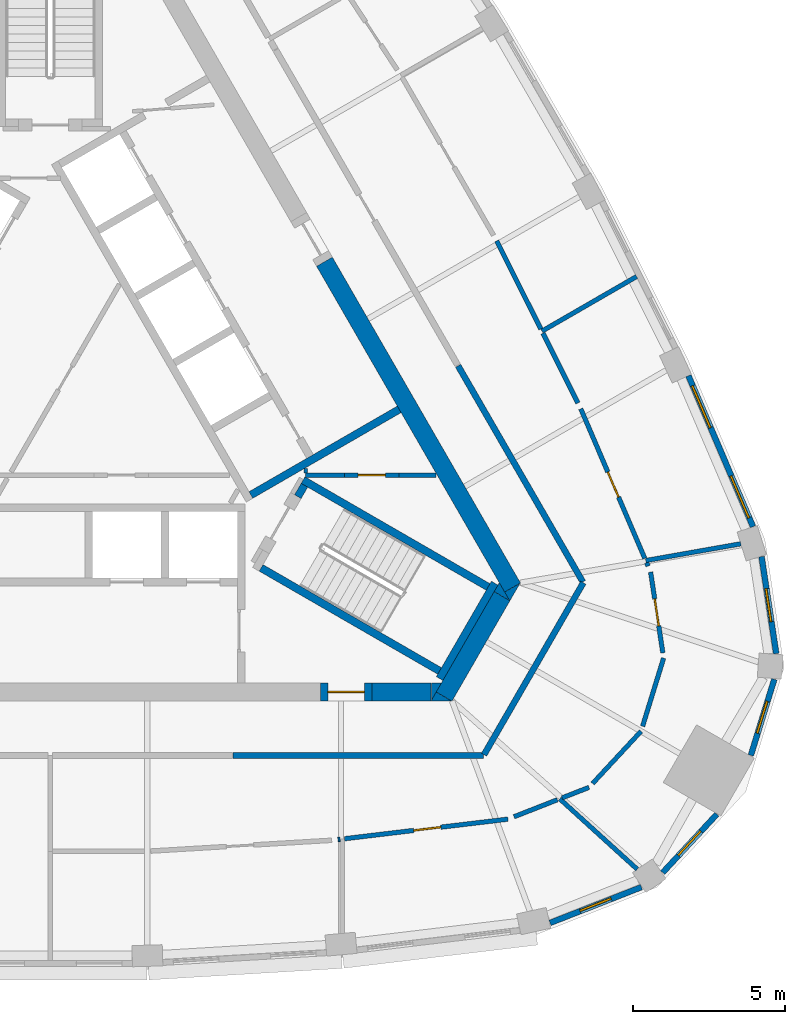
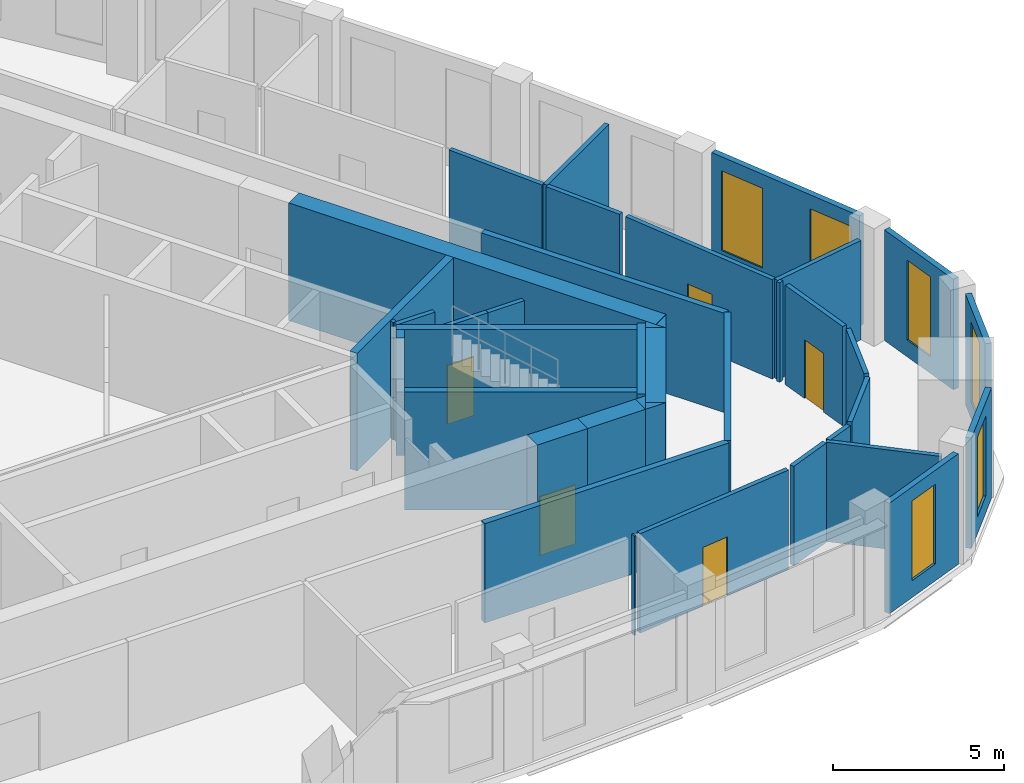
# One storey, part 7 of 10: 39 walls, 6 windows, 5 doors, 11 openings.
"""IFC4 building model written with IfcOpenShell, lengths in metres."""

from ifc_helpers import new_model, si_unit, direction, frame, frame_2d, origin, place, context, subcontext, project, spatial, polyline, rectangle, outline, extrude, material, layer, layer_set, type_object, element, fill, save


model = new_model("IFC4")

# Units and contexts
model_context = context("Model", 3, precision=1e-05, world=origin(), true_north=direction((0.0, 1.0)))
body_context = subcontext(model_context, "Body", "Model", "MODEL_VIEW")
ifc_project = project(units=[si_unit("LENGTHUNIT", "METRE"), si_unit("AREAUNIT", "SQUARE_METRE"), si_unit("VOLUMEUNIT", "CUBIC_METRE"), si_unit("PLANEANGLEUNIT", "RADIAN"), si_unit("MASSUNIT", "GRAM", prefix="KILO")], contexts=[model_context])

# Site, building, storey
site_placement = place(None, origin())
site = spatial("IfcSite", under=ifc_project, at=site_placement, CompositionType="ELEMENT")
building_placement = place(site_placement, origin())
building = spatial("IfcBuilding", under=site, at=building_placement, Name="Mestral Congress Tower", CompositionType="ELEMENT")
storey_placement = place(building_placement, frame((0.0, 0.0, 292.199951171875)))
storey = spatial("IfcBuildingStorey", under=building, at=storey_placement, Name="L68", CompositionType="ELEMENT", Elevation=292.199951171875)

# Wall
ifc_material_1 = material(Name="Fire-rated board partition")
ifc_layer_1 = layer(ifc_material_1, 0.14990234375)
ifc_layer_set_1 = layer_set([ifc_layer_1], Name="Fire-rated board partition")
wall_type_1 = type_object("IfcWallType", Name="Core partition 150", PredefinedType="PARTITIONING", material=ifc_layer_set_1)
wall_1_placement = place(storey_placement, frame((11.50048828125, -2.800537109375, 0.0), z_axis=(0.0, 0.0, 1.0), x_axis=(1.0, 0.0, 0.0)))
element("IfcWall", 1, at=wall_1_placement, inside=storey, type_object=wall_type_1, Name="L68 core wall", PredefinedType="PARTITIONING", context=body_context, shape_type="SweptSolid", body=[
    extrude(rectangle(XDim=1.22216796875, YDim=0.14990234375, at=frame_2d((0.611083984375, 0.0))), origin(), (0.0, 0.0, 1.0), 3.550048828125),
])

# Wall, opening, door
wall_2_placement = place(storey_placement, frame((9.7001953125, -2.800048828125, 0.0), z_axis=(0.0, 0.0, 1.0), x_axis=(1.0, 0.0, 0.0)))
wall_2 = element("IfcWall", 2, at=wall_2_placement, inside=storey, type_object=wall_type_1, Name="L68 door wall", PredefinedType="PARTITIONING", context=body_context, shape_type="SweptSolid", body=[
    extrude(rectangle(XDim=1.800048828125, YDim=0.14990234375, at=frame_2d((0.89990234375, 0.0))), origin(), (0.0, 0.0, 1.0), 3.550048828125),
])
opening_1_placement = place(wall_2_placement, frame((0.449951171875, 0.0, 0.0)))
opening_1 = element("IfcOpeningElement", 3, at=opening_1_placement, cuts=wall_2, Name="Opening SD-PX10", PredefinedType="OPENING", context=body_context, shape_type="SweptSolid", body=[
    extrude(rectangle(XDim=0.89990234375, YDim=2.10009765625, at=frame_2d((0.449951171875, 1.050048828125))), frame((0.0, 0.0849609375, 0.0), z_axis=(0.0, -1.0, 0.0), x_axis=(1.0, 0.0, 0.0)), (0.0, 0.0, 1.0), 0.169921875),
])
ifc_material_2 = material(Name="Fire-rated steel door set", Category="steel")
door_type_1 = type_object("IfcDoorType", Name="Core door SR 900x2100", OperationType="SINGLE_SWING_LEFT", PredefinedType="DOOR", material=ifc_material_2)
door_1_placement = place(opening_1_placement, origin())
door_1 = element("IfcDoor", 4, at=door_1_placement, inside=storey, type_object=door_type_1, Name="Door SD-PX10", OperationType="SINGLE_SWING_LEFT", OverallHeight=2.10009765625, OverallWidth=0.89990234375, PredefinedType="DOOR", context=body_context, shape_type="SweptSolid", body=[
    extrude(rectangle(XDim=0.89990234375, YDim=2.10009765625, at=frame_2d((0.449951171875, 1.050048828125))), frame((0.0, 0.02490234375, 0.0), z_axis=(0.0, -1.0, 0.0), x_axis=(1.0, 0.0, 0.0)), (0.0, 0.0, 1.0), 0.050048828125),
])
fill(opening_1, door_1)

# Walls
ifc_material_3 = material(Name="Concrete C60/75", Category="concrete")
ifc_layer_2 = layer(ifc_material_3, 0.60009765625)
ifc_layer_set_2 = layer_set([ifc_layer_2], Name="Concrete C60/75")
wall_type_2 = type_object("IfcWallType", Name="Core wall RC 600", PredefinedType="SOLIDWALL", material=ifc_layer_set_2)
wall_3_placement = place(storey_placement, frame((9.0419921875, 4.23876953125, 0.0), z_axis=(0.0, 0.0, 1.0), x_axis=(0.500005785455, -0.866022063525, 0.0)))
element("IfcWall", 5, at=wall_3_placement, inside=storey, type_object=wall_type_2, Name="L68 core wall", PredefinedType="SOLIDWALL", context=body_context, shape_type="SweptSolid", body=[
    extrude(rectangle(XDim=12.406494140625, YDim=0.60009765625, at=frame_2d((6.203125, 0.0))), origin(), (0.0, 0.0, 1.0), 4.199951171875),
])
placement = place(storey_placement, origin())
element("IfcWall", 6, at=placement, inside=storey, type_object=wall_type_2, Name="L68 core wall", PredefinedType="SOLIDWALL", context=body_context, shape_type="SweptSolid", body=[
    extrude(outline(polyline([(15.155517578125, -6.949951171875), (14.986572265625, -6.6572265625), (15.493408203125, -6.364501953125), (15.155517578125, -6.949951171875)])), origin(), (0.0, 0.0, 1.0), 4.199951171875),
])
wall_5_placement = place(storey_placement, frame((12.9873046875, -10.105712890625, 0.0), z_axis=(0.0, 0.0, 1.0), x_axis=(0.499950938802, 0.866053727428, 0.0)))
element("IfcWall", 7, at=wall_5_placement, inside=storey, type_object=wall_type_2, Name="L68 core wall", PredefinedType="SOLIDWALL", context=body_context, shape_type="SweptSolid", body=[
    extrude(rectangle(XDim=3.8232421875, YDim=0.60009765625, at=frame_2d((1.91162109375, 0.0))), origin(), (0.0, 0.0, 1.0), 4.199951171875),
])
element("IfcWall", 8, at=placement, inside=storey, type_object=wall_type_2, Name="L68 core wall", PredefinedType="SOLIDWALL", context=body_context, shape_type="SweptSolid", body=[
    extrude(outline(polyline([(12.726318359375, -9.957275390625), (13.2333984375, -10.25), (12.557373046875, -10.25), (12.726318359375, -9.957275390625)])), origin(), (0.0, 0.0, 1.0), 4.199951171875),
])
element("IfcWall", 9, at=placement, inside=storey, type_object=wall_type_2, Name="L68 core wall", PredefinedType="SOLIDWALL", context=body_context, shape_type="SweptSolid", body=[
    extrude(outline(polyline([(14.80908203125, -6.35009765625), (15.147216796875, -6.935791015625), (14.639892578125, -6.642822265625), (14.80908203125, -6.35009765625)])), origin(), (0.0, 0.0, 1.0), 4.199951171875),
])
wall_8_placement = place(storey_placement, frame((10.6044921875, -9.949951171875, 0.0), z_axis=(0.0, 0.0, 1.0), x_axis=(1.0, 0.0, 0.0)))
element("IfcWall", 10, at=wall_8_placement, inside=storey, type_object=wall_type_2, Name="L68 core wall", PredefinedType="SOLIDWALL", context=body_context, shape_type="SweptSolid", body=[
    extrude(rectangle(XDim=1.959228515625, YDim=0.60009765625, at=frame_2d((0.9794921875, 0.0))), origin(), (0.0, 0.0, 1.0), 4.199951171875),
])
element("IfcWall", 11, at=placement, inside=storey, type_object=wall_type_2, Name="L68 core wall", PredefinedType="SOLIDWALL", context=body_context, shape_type="SweptSolid", body=[
    extrude(outline(polyline([(12.90380859375, -9.64990234375), (12.56591796875, -10.235595703125), (12.56591796875, -9.64990234375), (12.90380859375, -9.64990234375)])), origin(), (0.0, 0.0, 1.0), 4.199951171875),
])

# Wall, opening, door
wall_10_placement = place(storey_placement, frame((10.6044921875, -9.949951171875, 0.0), z_axis=(0.0, 0.0, 1.0), x_axis=(-1.0, 0.0, 0.0)))
wall_10 = element("IfcWall", 12, at=wall_10_placement, inside=storey, type_object=wall_type_2, Name="L68 door wall", PredefinedType="SOLIDWALL", context=body_context, shape_type="SweptSolid", body=[
    extrude(rectangle(XDim=1.699951171875, YDim=0.60009765625, at=frame_2d((0.85009765625, 0.0))), origin(), (0.0, 0.0, 1.0), 4.199951171875),
])
opening_2_placement = place(wall_10_placement, frame((0.25, 0.0, 0.0)))
opening_2 = element("IfcOpeningElement", 13, at=opening_2_placement, cuts=wall_10, Name="Opening XD1", PredefinedType="OPENING", context=body_context, shape_type="SweptSolid", body=[
    extrude(rectangle(XDim=1.199951171875, YDim=2.10009765625, at=frame_2d((0.60009765625, 1.050048828125))), frame((0.0, 0.31005859375, 0.0), z_axis=(0.0, -1.0, 0.0), x_axis=(1.0, 0.0, 0.0)), (0.0, 0.0, 1.0), 0.6201171875),
])
door_type_2 = type_object("IfcDoorType", Name="Core door XD 1200x2100", OperationType="SINGLE_SWING_LEFT", PredefinedType="DOOR", material=ifc_material_2)
door_2_placement = place(opening_2_placement, origin())
door_2 = element("IfcDoor", 14, at=door_2_placement, inside=storey, type_object=door_type_2, Name="Door XD1", OperationType="SINGLE_SWING_LEFT", OverallHeight=2.10009765625, OverallWidth=1.199951171875, PredefinedType="DOOR", context=body_context, shape_type="SweptSolid", body=[
    extrude(rectangle(XDim=1.199951171875, YDim=2.10009765625, at=frame_2d((0.60009765625, 1.050048828125))), frame((0.0, 0.02490234375, 0.0), z_axis=(0.0, -1.0, 0.0), x_axis=(1.0, 0.0, 0.0)), (0.0, 0.0, 1.0), 0.050048828125),
])
fill(opening_2, door_2)

# Wall, opening, window
ifc_material_4 = material(Name="Precast concrete C40/50 with limestone facing", Category="masonry")
ifc_layer_3 = layer(ifc_material_4, 0.18994140625)
ifc_layer_set_3 = layer_set([ifc_layer_3], Name="Precast concrete C40/50 with limestone facing")
wall_type_3 = type_object("IfcWallType", Name="Facade stone wall 190", PredefinedType="SOLIDWALL", material=ifc_layer_set_3)
wall_11_placement = place(storey_placement, frame((16.48291015625, -17.572998046875, 0.0), z_axis=(0.0, 0.0, 1.0), x_axis=(0.93100888477, 0.364996515709, 0.0)))
wall_11 = element("IfcWall", 15, at=wall_11_placement, inside=storey, type_object=wall_type_3, Name="Facade wall K0-0", PredefinedType="SOLIDWALL", context=body_context, shape_type="SweptSolid", body=[
    extrude(rectangle(XDim=3.23681640625, YDim=0.18994140625, at=frame_2d((1.618408203125, 0.0))), origin(), (0.0, 0.0, 1.0), 3.949951171875),
])
opening_3_placement = place(wall_11_placement, frame((1.068359375, 0.0, 0.60009765625)))
opening_3 = element("IfcOpeningElement", 16, at=opening_3_placement, cuts=wall_11, Name="Opening W7", PredefinedType="OPENING", context=body_context, shape_type="SweptSolid", body=[
    extrude(rectangle(XDim=1.10009765625, YDim=2.85009765625, at=frame_2d((0.550048828125, 1.425048828125))), frame((0.0, 0.10498046875, 0.0), z_axis=(0.0, -1.0, 0.0), x_axis=(1.0, 0.0, 0.0)), (0.0, 0.0, 1.0), 0.2099609375),
])
ifc_material_5 = material(Name="Clear low-emissivity double glazing", Category="glass")
window_type_1 = type_object("IfcWindowType", Name="Facade punched window 1100 x 2850 sill 600", PartitioningType="SINGLE_PANEL", PredefinedType="WINDOW", material=ifc_material_5)
window_1_placement = place(opening_3_placement, origin())
window_1 = element("IfcWindow", 17, at=window_1_placement, inside=storey, type_object=window_type_1, Name="Window K0-0", OverallHeight=2.85009765625, OverallWidth=1.10009765625, PartitioningType="SINGLE_PANEL", PredefinedType="WINDOW", context=body_context, shape_type="SweptSolid", body=[
    extrude(rectangle(XDim=1.10009765625, YDim=2.85009765625, at=frame_2d((0.550048828125, 1.425048828125))), frame((0.0, 0.044921875, 0.0), z_axis=(0.0, -1.0, 0.0), x_axis=(1.0, 0.0, 0.0)), (0.0, 0.0, 1.0), 0.06005859375),
])
fill(opening_3, window_1)

wall_12_placement = place(storey_placement, frame((20.197998046875, -15.91357421875, 0.0), z_axis=(0.0, 0.0, 1.0), x_axis=(0.680219354823, 0.733008614768, 0.0)))
wall_12 = element("IfcWall", 18, at=wall_12_placement, inside=storey, type_object=wall_type_3, Name="Facade wall K0-1", PredefinedType="SOLIDWALL", context=body_context, shape_type="SweptSolid", body=[
    extrude(rectangle(XDim=2.626953125, YDim=0.18994140625, at=frame_2d((1.3134765625, 0.0))), origin(), (0.0, 0.0, 1.0), 3.949951171875),
])
opening_4_placement = place(wall_12_placement, frame((0.763427734375, 0.0, 0.60009765625)))
opening_4 = element("IfcOpeningElement", 19, at=opening_4_placement, cuts=wall_12, Name="Opening W7", PredefinedType="OPENING", context=body_context, shape_type="SweptSolid", body=[
    extrude(rectangle(XDim=1.10009765625, YDim=2.85009765625, at=frame_2d((0.550048828125, 1.425048828125))), frame((0.0, 0.10498046875, 0.0), z_axis=(0.0, -1.0, 0.0), x_axis=(1.0, 0.0, 0.0)), (0.0, 0.0, 1.0), 0.2099609375),
])
window_2_placement = place(opening_4_placement, origin())
window_2 = element("IfcWindow", 20, at=window_2_placement, inside=storey, type_object=window_type_1, Name="Window K0-1", OverallHeight=2.85009765625, OverallWidth=1.10009765625, PartitioningType="SINGLE_PANEL", PredefinedType="WINDOW", context=body_context, shape_type="SweptSolid", body=[
    extrude(rectangle(XDim=1.10009765625, YDim=2.85009765625, at=frame_2d((0.550048828125, 1.425048828125))), frame((0.0, 0.044921875, 0.0), z_axis=(0.0, -1.0, 0.0), x_axis=(1.0, 0.0, 0.0)), (0.0, 0.0, 1.0), 0.06005859375),
])
fill(opening_4, window_2)

wall_13_placement = place(storey_placement, frame((23.1064453125, -12.04541015625, 0.0), z_axis=(0.0, 0.0, 1.0), x_axis=(0.294706210429, 0.9555879078, 0.0)))
wall_13 = element("IfcWall", 21, at=wall_13_placement, inside=storey, type_object=wall_type_3, Name="Facade wall K0-2", PredefinedType="SOLIDWALL", context=body_context, shape_type="SweptSolid", body=[
    extrude(rectangle(XDim=2.626953125, YDim=0.18994140625, at=frame_2d((1.3134765625, 0.0))), origin(), (0.0, 0.0, 1.0), 3.949951171875),
])
opening_5_placement = place(wall_13_placement, frame((0.763427734375, 0.0, 0.60009765625)))
opening_5 = element("IfcOpeningElement", 22, at=opening_5_placement, cuts=wall_13, Name="Opening W7", PredefinedType="OPENING", context=body_context, shape_type="SweptSolid", body=[
    extrude(rectangle(XDim=1.10009765625, YDim=2.85009765625, at=frame_2d((0.550048828125, 1.425048828125))), frame((0.0, 0.10498046875, 0.0), z_axis=(0.0, -1.0, 0.0), x_axis=(1.0, 0.0, 0.0)), (0.0, 0.0, 1.0), 0.2099609375),
])
window_3_placement = place(opening_5_placement, origin())
window_3 = element("IfcWindow", 23, at=window_3_placement, inside=storey, type_object=window_type_1, Name="Window K0-2", OverallHeight=2.85009765625, OverallWidth=1.10009765625, PartitioningType="SINGLE_PANEL", PredefinedType="WINDOW", context=body_context, shape_type="SweptSolid", body=[
    extrude(rectangle(XDim=1.10009765625, YDim=2.85009765625, at=frame_2d((0.550048828125, 1.425048828125))), frame((0.0, 0.044921875, 0.0), z_axis=(0.0, -1.0, 0.0), x_axis=(1.0, 0.0, 0.0)), (0.0, 0.0, 1.0), 0.06005859375),
])
fill(opening_5, window_3)

wall_14_placement = place(storey_placement, frame((23.94384765625, -8.6884765625, 0.0), z_axis=(0.0, 0.0, 1.0), x_axis=(-0.149421055602, 0.988773658702, 0.0)))
wall_14 = element("IfcWall", 24, at=wall_14_placement, inside=storey, type_object=wall_type_3, Name="Facade wall K0-3", PredefinedType="SOLIDWALL", context=body_context, shape_type="SweptSolid", body=[
    extrude(rectangle(XDim=3.23681640625, YDim=0.18994140625, at=frame_2d((1.618408203125, 0.0))), origin(), (0.0, 0.0, 1.0), 3.949951171875),
])
opening_6_placement = place(wall_14_placement, frame((1.068359375, 0.0, 0.60009765625)))
opening_6 = element("IfcOpeningElement", 25, at=opening_6_placement, cuts=wall_14, Name="Opening W7", PredefinedType="OPENING", context=body_context, shape_type="SweptSolid", body=[
    extrude(rectangle(XDim=1.10009765625, YDim=2.85009765625, at=frame_2d((0.550048828125, 1.425048828125))), frame((0.0, 0.10498046875, 0.0), z_axis=(0.0, -1.0, 0.0), x_axis=(1.0, 0.0, 0.0)), (0.0, 0.0, 1.0), 0.2099609375),
])
window_4_placement = place(opening_6_placement, origin())
window_4 = element("IfcWindow", 26, at=window_4_placement, inside=storey, type_object=window_type_1, Name="Window K0-3", OverallHeight=2.85009765625, OverallWidth=1.10009765625, PartitioningType="SINGLE_PANEL", PredefinedType="WINDOW", context=body_context, shape_type="SweptSolid", body=[
    extrude(rectangle(XDim=1.10009765625, YDim=2.85009765625, at=frame_2d((0.550048828125, 1.425048828125))), frame((0.0, 0.044921875, 0.0), z_axis=(0.0, -1.0, 0.0), x_axis=(1.0, 0.0, 0.0)), (0.0, 0.0, 1.0), 0.06005859375),
])
fill(opening_6, window_4)

# Wall, openings, windows
wall_15_placement = place(storey_placement, frame((23.1787109375, -4.50048828125, 0.0), z_axis=(0.0, 0.0, 1.0), x_axis=(-0.393347848476, 0.919389726992, 0.0)))
wall_15 = element("IfcWall", 27, at=wall_15_placement, inside=storey, type_object=wall_type_3, Name="Facade wall F1-00", PredefinedType="SOLIDWALL", context=body_context, shape_type="SweptSolid", body=[
    extrude(rectangle(XDim=5.414794921875, YDim=0.18994140625, at=frame_2d((2.70751953125, 0.0))), origin(), (0.0, 0.0, 1.0), 3.949951171875),
])
opening_7_placement = place(wall_15_placement, frame((0.322509765625, 0.0, 0.60009765625)))
opening_7 = element("IfcOpeningElement", 28, at=opening_7_placement, cuts=wall_15, Name="Opening W6", PredefinedType="OPENING", context=body_context, shape_type="SweptSolid", body=[
    extrude(rectangle(XDim=1.5, YDim=2.85009765625, at=frame_2d((0.75, 1.425048828125))), frame((0.0, 0.10498046875, 0.0), z_axis=(0.0, -1.0, 0.0), x_axis=(1.0, 0.0, 0.0)), (0.0, 0.0, 1.0), 0.2099609375),
])
opening_8_placement = place(wall_15_placement, frame((3.5576171875, 0.0, 0.60009765625)))
opening_8 = element("IfcOpeningElement", 29, at=opening_8_placement, cuts=wall_15, Name="Opening W6", PredefinedType="OPENING", context=body_context, shape_type="SweptSolid", body=[
    extrude(rectangle(XDim=1.5, YDim=2.85009765625, at=frame_2d((0.75, 1.425048828125))), frame((0.0, 0.10498046875, 0.0), z_axis=(0.0, -1.0, 0.0), x_axis=(1.0, 0.0, 0.0)), (0.0, 0.0, 1.0), 0.2099609375),
])
window_type_2 = type_object("IfcWindowType", Name="Facade punched window 1500 x 2850 sill 600", PartitioningType="SINGLE_PANEL", PredefinedType="WINDOW", material=ifc_material_5)
window_5_placement = place(opening_7_placement, origin())
window_5 = element("IfcWindow", 30, at=window_5_placement, inside=storey, type_object=window_type_2, Name="Window F1-00a", OverallHeight=2.85009765625, OverallWidth=1.5, PartitioningType="SINGLE_PANEL", PredefinedType="WINDOW", context=body_context, shape_type="SweptSolid", body=[
    extrude(rectangle(XDim=1.5, YDim=2.85009765625, at=frame_2d((0.75, 1.425048828125))), frame((0.0, 0.044921875, 0.0), z_axis=(0.0, -1.0, 0.0), x_axis=(1.0, 0.0, 0.0)), (0.0, 0.0, 1.0), 0.06005859375),
])
fill(opening_7, window_5)
window_6_placement = place(opening_8_placement, origin())
window_6 = element("IfcWindow", 31, at=window_6_placement, inside=storey, type_object=window_type_2, Name="Window F1-00b", OverallHeight=2.85009765625, OverallWidth=1.5, PartitioningType="SINGLE_PANEL", PredefinedType="WINDOW", context=body_context, shape_type="SweptSolid", body=[
    extrude(rectangle(XDim=1.5, YDim=2.85009765625, at=frame_2d((0.75, 1.425048828125))), frame((0.0, 0.044921875, 0.0), z_axis=(0.0, -1.0, 0.0), x_axis=(1.0, 0.0, 0.0)), (0.0, 0.0, 1.0), 0.06005859375),
])
fill(opening_8, window_6)

# Walls
ifc_material_6 = material(Name="Plasterboard partition on steel studs", Category="steel")
ifc_layer_4 = layer(ifc_material_6, 0.14990234375)
ifc_layer_set_4 = layer_set([ifc_layer_4], Name="Plasterboard partition on steel studs")
wall_type_4 = type_object("IfcWallType", Name="Office partition 150", PredefinedType="PARTITIONING", material=ifc_layer_set_4)
wall_16_placement = place(storey_placement, frame((9.492431640625, -14.8203125, 0.0), z_axis=(0.0, 0.0, 1.0), x_axis=(0.993123019804, 0.117075477944, 0.0)))
element("IfcWall", 32, at=wall_16_placement, inside=storey, type_object=wall_type_4, Name="Partition", PredefinedType="PARTITIONING", context=body_context, shape_type="SweptSolid", body=[
    extrude(rectangle(XDim=0.060546875, YDim=0.14990234375, at=frame_2d((0.0302734375, 0.0))), origin(), (0.0, 0.0, 1.0), 3.550048828125),
])
wall_17_placement = place(storey_placement, frame((16.802734375, -13.47900390625, 0.0), z_axis=(0.0, 0.0, 1.0), x_axis=(0.740052004703, -0.672549648974, 0.0)))
element("IfcWall", 33, at=wall_17_placement, inside=storey, type_object=wall_type_4, Name="Partition", PredefinedType="PARTITIONING", context=body_context, shape_type="SweptSolid", body=[
    extrude(rectangle(XDim=3.4541015625, YDim=0.14990234375, at=frame_2d((1.72705078125, 0.0))), origin(), (0.0, 0.0, 1.0), 3.550048828125),
])

# Wall, opening, door
wall_18_placement = place(storey_placement, frame((15.094482421875, -14.148681640625, 0.0), z_axis=(0.0, 0.0, 1.0), x_axis=(-0.992889171133, -0.119042403566, 0.0)))
wall_18 = element("IfcWall", 34, at=wall_18_placement, inside=storey, type_object=wall_type_4, Name="Partition", PredefinedType="PARTITIONING", context=body_context, shape_type="SweptSolid", body=[
    extrude(rectangle(XDim=5.4306640625, YDim=0.14990234375, at=frame_2d((2.71533203125, 0.0))), origin(), (0.0, 0.0, 1.0), 3.550048828125),
])
opening_9_placement = place(wall_18_placement, frame((2.230712890625, 0.0, 0.0)))
opening_9 = element("IfcOpeningElement", 35, at=opening_9_placement, cuts=wall_18, Name="Opening O13-003", PredefinedType="OPENING", context=body_context, shape_type="SweptSolid", body=[
    extrude(rectangle(XDim=0.89990234375, YDim=2.10009765625, at=frame_2d((0.449951171875, 1.050048828125))), frame((0.0, 0.0849609375, 0.0), z_axis=(0.0, -1.0, 0.0), x_axis=(1.0, 0.0, 0.0)), (0.0, 0.0, 1.0), 0.169921875),
])
ifc_material_7 = material(Name="Timber door set", Category="wood")
door_type_3 = type_object("IfcDoorType", Name="Office door 900x2100", OperationType="SINGLE_SWING_LEFT", PredefinedType="DOOR", material=ifc_material_7)
door_3_placement = place(opening_9_placement, origin())
door_3 = element("IfcDoor", 36, at=door_3_placement, inside=storey, type_object=door_type_3, Name="Door O13-003", OperationType="SINGLE_SWING_LEFT", OverallHeight=2.10009765625, OverallWidth=0.89990234375, PredefinedType="DOOR", context=body_context, shape_type="SweptSolid", body=[
    extrude(rectangle(XDim=0.89990234375, YDim=2.10009765625, at=frame_2d((0.449951171875, 1.050048828125))), frame((0.0, 0.02490234375, 0.0), z_axis=(0.0, -1.0, 0.0), x_axis=(1.0, 0.0, 0.0)), (0.0, 0.0, 1.0), 0.050048828125),
])
fill(opening_9, door_3)

# Walls
wall_19_placement = place(storey_placement, frame((15.2939453125, -14.070556640625, 0.0), z_axis=(0.0, 0.0, 1.0), x_axis=(0.930996486245, 0.365028139463, 0.0)))
element("IfcWall", 37, at=wall_19_placement, inside=storey, type_object=wall_type_4, Name="Partition", PredefinedType="PARTITIONING", context=body_context, shape_type="SweptSolid", body=[
    extrude(rectangle(XDim=1.536865234375, YDim=0.14990234375, at=frame_2d((0.7685546875, 0.0))), origin(), (0.0, 0.0, 1.0), 3.550048828125),
])
wall_20_placement = place(storey_placement, frame((19.638671875, -5.61962890625, 0.0), z_axis=(0.0, 0.0, 1.0), x_axis=(0.984765028635, 0.173890305586, 0.0)))
element("IfcWall", 38, at=wall_20_placement, inside=storey, type_object=wall_type_4, Name="Partition", PredefinedType="PARTITIONING", context=body_context, shape_type="SweptSolid", body=[
    extrude(rectangle(XDim=3.184326171875, YDim=0.14990234375, at=frame_2d((1.59228515625, 0.0))), origin(), (0.0, 0.0, 1.0), 3.550048828125),
])
wall_21_placement = place(storey_placement, frame((16.880615234375, -13.448486328125, 0.0), z_axis=(0.0, 0.0, 1.0), x_axis=(0.930913400557, 0.365239976815, 0.0)))
element("IfcWall", 39, at=wall_21_placement, inside=storey, type_object=wall_type_4, Name="Partition", PredefinedType="PARTITIONING", context=body_context, shape_type="SweptSolid", body=[
    extrude(rectangle(XDim=0.95263671875, YDim=0.14990234375, at=frame_2d((0.476318359375, 0.0))), origin(), (0.0, 0.0, 1.0), 3.550048828125),
])
wall_22_placement = place(storey_placement, frame((17.885009765625, -12.97412109375, 0.0), z_axis=(0.0, 0.0, 1.0), x_axis=(0.680200271904, 0.733026322926, 0.0)))
element("IfcWall", 40, at=wall_22_placement, inside=storey, type_object=wall_type_4, Name="Partition", PredefinedType="PARTITIONING", context=body_context, shape_type="SweptSolid", body=[
    extrude(rectangle(XDim=2.352294921875, YDim=0.14990234375, at=frame_2d((1.17626953125, 0.0))), origin(), (0.0, 0.0, 1.0), 3.550048828125),
])
wall_23_placement = place(storey_placement, frame((19.5361328125, -11.084716796875, 0.0), z_axis=(0.0, 0.0, 1.0), x_axis=(0.294632751805, 0.955610559571, 0.0)))
element("IfcWall", 41, at=wall_23_placement, inside=storey, type_object=wall_type_4, Name="Partition", PredefinedType="PARTITIONING", context=body_context, shape_type="SweptSolid", body=[
    extrude(rectangle(XDim=2.3525390625, YDim=0.14990234375, at=frame_2d((1.17626953125, 0.0))), origin(), (0.0, 0.0, 1.0), 3.550048828125),
])

# Wall, opening, door
wall_24_placement = place(storey_placement, frame((19.80029296875, -5.997802734375, 0.0), z_axis=(0.0, 0.0, 1.0), x_axis=(0.149384554916, -0.988779173907, 0.0)))
wall_24 = element("IfcWall", 42, at=wall_24_placement, inside=storey, type_object=wall_type_4, Name="Partition", PredefinedType="PARTITIONING", context=body_context, shape_type="SweptSolid", body=[
    extrude(rectangle(XDim=2.6982421875, YDim=0.14990234375, at=frame_2d((1.34912109375, 0.0))), origin(), (0.0, 0.0, 1.0), 3.550048828125),
])
opening_10_placement = place(wall_24_placement, frame((0.898193359375, 0.0, 0.0)))
opening_10 = element("IfcOpeningElement", 43, at=opening_10_placement, cuts=wall_24, Name="Opening O13-004", PredefinedType="OPENING", context=body_context, shape_type="SweptSolid", body=[
    extrude(rectangle(XDim=0.89990234375, YDim=2.10009765625, at=frame_2d((0.449951171875, 1.050048828125))), frame((0.0, 0.0849609375, 0.0), z_axis=(0.0, -1.0, 0.0), x_axis=(1.0, 0.0, 0.0)), (0.0, 0.0, 1.0), 0.169921875),
])
door_4_placement = place(opening_10_placement, origin())
door_4 = element("IfcDoor", 44, at=door_4_placement, inside=storey, type_object=door_type_3, Name="Door O13-004", OperationType="SINGLE_SWING_LEFT", OverallHeight=2.10009765625, OverallWidth=0.89990234375, PredefinedType="DOOR", context=body_context, shape_type="SweptSolid", body=[
    extrude(rectangle(XDim=0.89990234375, YDim=2.10009765625, at=frame_2d((0.449951171875, 1.050048828125))), frame((0.0, 0.02490234375, 0.0), z_axis=(0.0, -1.0, 0.0), x_axis=(1.0, 0.0, 0.0)), (0.0, 0.0, 1.0), 0.050048828125),
])
fill(opening_10, door_4)

# Walls
wall_25_placement = place(storey_placement, frame((19.716064453125, -5.80078125, 0.0), z_axis=(0.0, 0.0, 1.0), x_axis=(-0.394409976498, 0.918934584418, 0.0)))
element("IfcWall", 45, at=wall_25_placement, inside=storey, type_object=wall_type_4, Name="Partition", PredefinedType="PARTITIONING", context=body_context, shape_type="SweptSolid", body=[
    extrude(rectangle(XDim=0.1201171875, YDim=0.14990234375, at=frame_2d((0.06005859375, 0.0))), origin(), (0.0, 0.0, 1.0), 3.550048828125),
])
wall_26_placement = place(storey_placement, frame((16.21484375, 1.9482421875, 0.0), z_axis=(0.0, 0.0, 1.0), x_axis=(0.866026634742, 0.499997867913, 0.0)))
element("IfcWall", 46, at=wall_26_placement, inside=storey, type_object=wall_type_4, Name="Partition", PredefinedType="PARTITIONING", context=body_context, shape_type="SweptSolid", body=[
    extrude(rectangle(XDim=3.6064453125, YDim=0.14990234375, at=frame_2d((1.80322265625, 0.0))), origin(), (0.0, 0.0, 1.0), 3.550048828125),
])

# Wall, opening, door
wall_27_placement = place(storey_placement, frame((17.49658203125, -0.61328125, 0.0), z_axis=(0.0, 0.0, 1.0), x_axis=(0.393381340755, -0.919375397075, 0.0)))
wall_27 = element("IfcWall", 47, at=wall_27_placement, inside=storey, type_object=wall_type_4, Name="Partition", PredefinedType="PARTITIONING", context=body_context, shape_type="SweptSolid", body=[
    extrude(rectangle(XDim=5.368408203125, YDim=0.14990234375, at=frame_2d((2.68408203125, 0.0))), origin(), (0.0, 0.0, 1.0), 3.550048828125),
])
opening_11_placement = place(wall_27_placement, frame((2.26806640625, 0.0, 0.0)))
opening_11 = element("IfcOpeningElement", 48, at=opening_11_placement, cuts=wall_27, Name="Opening O13-005", PredefinedType="OPENING", context=body_context, shape_type="SweptSolid", body=[
    extrude(rectangle(XDim=0.89990234375, YDim=2.10009765625, at=frame_2d((0.449951171875, 1.050048828125))), frame((0.0, 0.0849609375, 0.0), z_axis=(0.0, -1.0, 0.0), x_axis=(1.0, 0.0, 0.0)), (0.0, 0.0, 1.0), 0.169921875),
])
door_5_placement = place(opening_11_placement, origin())
door_5 = element("IfcDoor", 49, at=door_5_placement, inside=storey, type_object=door_type_3, Name="Door O13-005", OperationType="SINGLE_SWING_RIGHT", OverallHeight=2.10009765625, OverallWidth=0.89990234375, PredefinedType="DOOR", context=body_context, shape_type="SweptSolid", body=[
    extrude(rectangle(XDim=0.89990234375, YDim=2.10009765625, at=frame_2d((0.449951171875, 1.050048828125))), frame((0.0, 0.02490234375, 0.0), z_axis=(0.0, -1.0, 0.0), x_axis=(1.0, 0.0, 0.0)), (0.0, 0.0, 1.0), 0.050048828125),
])
fill(opening_11, door_5)

# Walls
wall_28_placement = place(storey_placement, frame((17.40087890625, -0.421875, 0.0), z_axis=(0.0, 0.0, 1.0), x_axis=(-0.447479029466, 0.894294424778, 0.0)))
element("IfcWall", 50, at=wall_28_placement, inside=storey, type_object=wall_type_4, Name="Partition", PredefinedType="PARTITIONING", context=body_context, shape_type="SweptSolid", body=[
    extrude(rectangle(XDim=2.5751953125, YDim=0.14990234375, at=frame_2d((1.28759765625, 0.0))), origin(), (0.0, 0.0, 1.0), 3.550048828125),
])
wall_29_placement = place(storey_placement, frame((16.181396484375, 2.015380859375, 0.0), z_axis=(0.0, 0.0, 1.0), x_axis=(-0.447513663313, 0.894277094165, 0.0)))
element("IfcWall", 51, at=wall_29_placement, inside=storey, type_object=wall_type_4, Name="Partition", PredefinedType="PARTITIONING", context=body_context, shape_type="SweptSolid", body=[
    extrude(rectangle(XDim=3.254150390625, YDim=0.14990234375, at=frame_2d((1.626953125, 0.0))), origin(), (0.0, 0.0, 1.0), 3.550048828125),
])
ifc_material_8 = material(Name="Dense masonry wall, plastered", Category="masonry")
ifc_layer_5 = layer(ifc_material_8, 0.199951171875)
ifc_layer_set_5 = layer_set([ifc_layer_5], Name="Dense masonry wall, plastered")
wall_type_5 = type_object("IfcWallType", Name="Office tenancy wall 200", PredefinedType="PARTITIONING", material=ifc_layer_set_5)
wall_30_placement = place(storey_placement, frame((6.030029296875, -12.050048828125, 0.0), z_axis=(0.0, 0.0, 1.0), x_axis=(1.0, 0.0, 0.0)))
element("IfcWall", 52, at=wall_30_placement, inside=storey, type_object=wall_type_5, Name="Tenancy wall", PredefinedType="PARTITIONING", context=body_context, shape_type="SweptSolid", body=[
    extrude(rectangle(XDim=8.25927734375, YDim=0.199951171875, at=frame_2d((4.129638671875, 0.0))), origin(), (0.0, 0.0, 1.0), 3.550048828125),
])
wall_31_placement = place(storey_placement, frame((14.304443359375, -12.02392578125, 0.0), z_axis=(0.0, 0.0, 1.0), x_axis=(0.500010613097, 0.866019276224, 0.0)))
element("IfcWall", 53, at=wall_31_placement, inside=storey, type_object=wall_type_5, Name="Tenancy wall", PredefinedType="PARTITIONING", context=body_context, shape_type="SweptSolid", body=[
    extrude(rectangle(XDim=6.551513671875, YDim=0.199951171875, at=frame_2d((3.27587890625, 0.0))), origin(), (0.0, 0.0, 1.0), 3.550048828125),
])
wall_32_placement = place(storey_placement, frame((17.565185546875, -6.323974609375, 0.0), z_axis=(0.0, 0.0, 1.0), x_axis=(-0.499977548053, 0.866038366034, 0.0)))
element("IfcWall", 54, at=wall_32_placement, inside=storey, type_object=wall_type_5, Name="Tenancy wall", PredefinedType="PARTITIONING", context=body_context, shape_type="SweptSolid", body=[
    extrude(rectangle(XDim=8.2294921875, YDim=0.199951171875, at=frame_2d((4.11474609375, 0.0))), origin(), (0.0, 0.0, 1.0), 3.550048828125),
])
ifc_layer_6 = layer(ifc_material_3, 0.25)
ifc_layer_set_6 = layer_set([ifc_layer_6], Name="Concrete C60/75")
wall_type_6 = type_object("IfcWallType", Name="Shaft wall RC 250", PredefinedType="SOLIDWALL", material=ifc_layer_set_6)
wall_33_placement = place(storey_placement, frame((11.507080078125, -0.630859375, 0.0), z_axis=(0.0, 0.0, 1.0), x_axis=(-0.866011447264, -0.500024172624, 0.0)))
element("IfcWall", 55, at=wall_33_placement, inside=storey, type_object=wall_type_6, Name="L68 core wall", PredefinedType="SOLIDWALL", context=body_context, shape_type="SweptSolid", body=[
    extrude(rectangle(XDim=5.650146484375, YDim=0.25, at=frame_2d((2.8251953125, 0.0))), origin(), (0.0, 0.0, 1.0), 4.199951171875),
])
ifc_layer_7 = layer(ifc_material_3, 0.14990234375)
ifc_layer_set_7 = layer_set([ifc_layer_7], Name="Concrete C60/75")
wall_type_7 = type_object("IfcWallType", Name="Shaft wall RC 250 door-wall 150", PredefinedType="SOLIDWALL", material=ifc_layer_set_7)
wall_34_placement = place(storey_placement, frame((8.412109375, -2.800048828125, 0.0), z_axis=(0.0, 0.0, 1.0), x_axis=(1.0, 0.0, 0.0)))
element("IfcWall", 56, at=wall_34_placement, inside=storey, type_object=wall_type_7, Name="L68 core wall", PredefinedType="PARTITIONING", context=body_context, shape_type="SweptSolid", body=[
    extrude(rectangle(XDim=1.2880859375, YDim=0.14990234375, at=frame_2d((0.64404296875, 0.0))), origin(), (0.0, 0.0, 1.0), 4.199951171875),
])
wall_35_placement = place(storey_placement, frame((8.3701171875, -2.64990234375, 0.0), z_axis=(0.0, 0.0, 1.0), x_axis=(1.0, 0.0, 0.0)))
element("IfcWall", 57, at=wall_35_placement, inside=storey, type_object=wall_type_7, Name="L68 core wall", PredefinedType="PARTITIONING", context=body_context, shape_type="SweptSolid", body=[
    extrude(rectangle(XDim=0.10791015625, YDim=0.14990234375, at=frame_2d((0.053955078125, 0.0))), origin(), (0.0, 0.0, 1.0), 4.199951171875),
])
ifc_layer_8 = layer(ifc_material_3, 0.25)
ifc_layer_set_8 = layer_set([ifc_layer_8], Name="Concrete C60/75")
wall_type_8 = type_object("IfcWallType", Name="Stair wall RC 250", PredefinedType="SOLIDWALL", material=ifc_layer_set_8)
wall_36_placement = place(storey_placement, frame((12.839599609375, -9.510986328125, 0.0), z_axis=(0.0, 0.0, 1.0), x_axis=(0.500048121057, 0.865997619297, 0.0)))
element("IfcWall", 58, at=wall_36_placement, inside=storey, type_object=wall_type_8, Name="L68 core wall", PredefinedType="SOLIDWALL", context=body_context, shape_type="SweptSolid", body=[
    extrude(rectangle(XDim=3.634033203125, YDim=0.25, at=frame_2d((1.81689453125, 0.0))), origin(), (0.0, 0.0, 1.0), 4.199951171875),
])
wall_37_placement = place(storey_placement, frame((12.83984375, -9.2607421875, 0.0), z_axis=(0.0, 0.0, 1.0), x_axis=(-0.866013990052, 0.500019768644, 0.0)))
element("IfcWall", 59, at=wall_37_placement, inside=storey, type_object=wall_type_8, Name="L68 core wall", PredefinedType="SOLIDWALL", context=body_context, shape_type="SweptSolid", body=[
    extrude(rectangle(XDim=6.800048828125, YDim=0.25, at=frame_2d((3.39990234375, 0.0))), origin(), (0.0, 0.0, 1.0), 4.199951171875),
])
wall_38_placement = place(storey_placement, frame((8.33447265625, -2.96435546875, 0.0), z_axis=(0.0, 0.0, 1.0), x_axis=(0.866016039709, -0.500016218704, 0.0)))
element("IfcWall", 60, at=wall_38_placement, inside=storey, type_object=wall_type_8, Name="L68 core wall", PredefinedType="SOLIDWALL", context=body_context, shape_type="SweptSolid", body=[
    extrude(rectangle(XDim=7.050048828125, YDim=0.25, at=frame_2d((3.52490234375, 0.0))), origin(), (0.0, 0.0, 1.0), 4.199951171875),
])
wall_39_placement = place(storey_placement, frame((8.162841796875, -3.51123046875, 0.0), z_axis=(0.0, 0.0, 1.0), x_axis=(0.500127794843, 0.865951608824, 0.0)))
element("IfcWall", 61, at=wall_39_placement, inside=storey, type_object=wall_type_8, Name="L68 core wall", PredefinedType="SOLIDWALL", context=body_context, shape_type="SweptSolid", body=[
    extrude(rectangle(XDim=0.4345703125, YDim=0.25, at=frame_2d((0.21728515625, 0.0))), origin(), (0.0, 0.0, 1.0), 4.199951171875),
])

save(model, "model.ifc")
